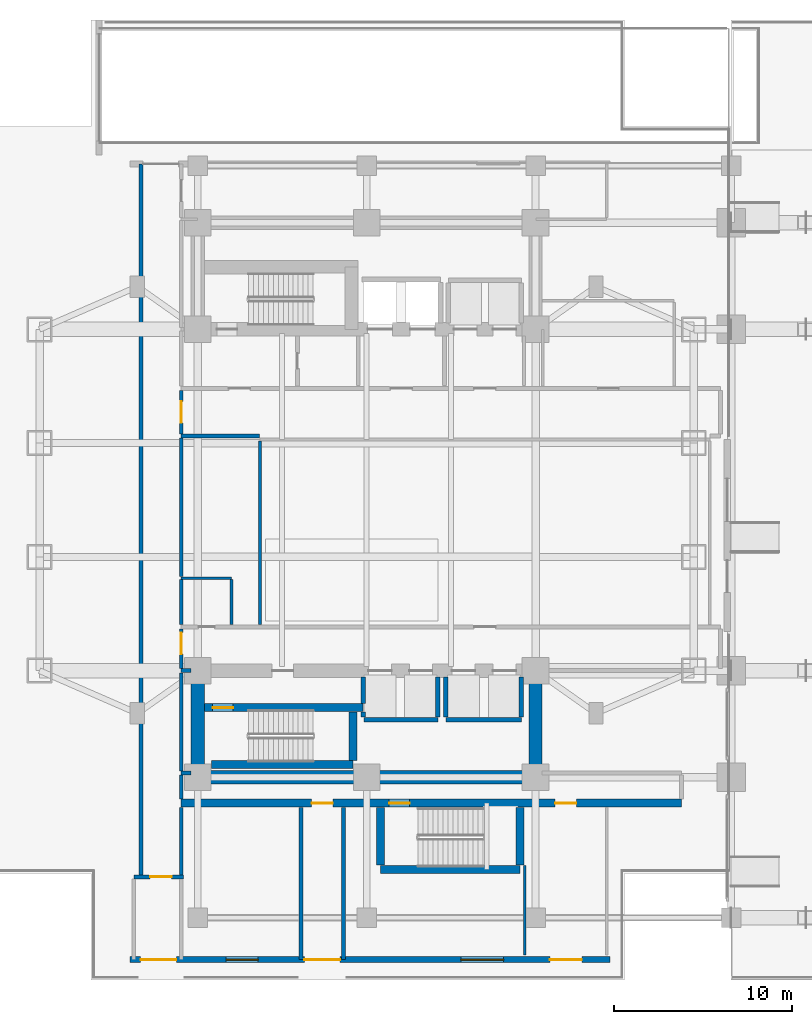
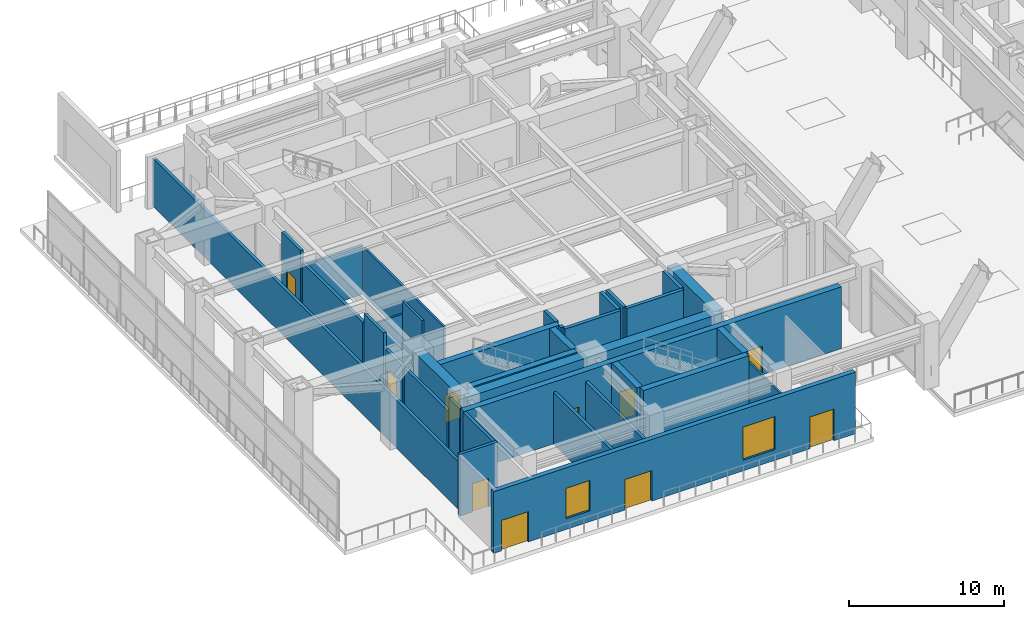
# One storey, part 10 of 27: 36 walls, 10 doors, 2 windows, 12 openings.
"""IFC4 building model written with IfcOpenShell, lengths in metres."""

from ifc_helpers import new_model, si_unit, direction, frame, frame_2d, origin, place, context, subcontext, project, spatial, rectangle, extrude, material, layer, layer_set, type_object, element, fill, save


model = new_model("IFC4")

# Units and contexts
model_context = context("Model", 3, precision=1e-05, world=origin(), true_north=direction((0.0, 1.0)))
body_context = subcontext(model_context, "Body", "Model", "MODEL_VIEW")
ifc_project = project(units=[si_unit("LENGTHUNIT", "METRE"), si_unit("AREAUNIT", "SQUARE_METRE"), si_unit("VOLUMEUNIT", "CUBIC_METRE"), si_unit("PLANEANGLEUNIT", "RADIAN"), si_unit("MASSUNIT", "GRAM", prefix="KILO")], contexts=[model_context])

# Site, building, storey
site_placement = place(None, origin())
site = spatial("IfcSite", under=ifc_project, at=site_placement, CompositionType="ELEMENT")
building_placement = place(site_placement, origin())
building = spatial("IfcBuilding", under=site, at=building_placement, Name="Mirazonda Arch Towers", CompositionType="ELEMENT")
storey_placement = place(building_placement, origin())
storey = spatial("IfcBuildingStorey", under=building, at=storey_placement, Name="L00", CompositionType="ELEMENT", Elevation=0.0)

# Wall
ifc_material_1 = material(Name="Concrete C50/60", Category="concrete")
ifc_layer_1 = layer(ifc_material_1, 0.449951171875, Name="WALL-CORE-450")
ifc_layer_set_1 = layer_set([ifc_layer_1], Name="Concrete C50/60")
wall_type_1 = type_object("IfcWallType", Name="WALL-CORE-450", PredefinedType="SHEAR", material=ifc_layer_set_1)
wall_1_placement = place(storey_placement, frame((21.27001953125, 7.219970703125, 0.0), z_axis=(0.0, 0.0, 1.0), x_axis=(1.0, 0.0, 0.0)))
element("IfcWall", 1, at=wall_1_placement, inside=storey, type_object=wall_type_1, Name="L00 Stair Core Shear Wall 002", PredefinedType="SHEAR", context=body_context, shape_type="SweptSolid", body=[
    extrude(rectangle(XDim=7.85986328125, YDim=0.449951171875, at=frame_2d((3.929931640625, 0.0))), origin(), (0.0, 0.0, 1.0), 4.8798828125),
])

# Wall, openings, doors
wall_2_placement = place(storey_placement, frame((10.050048828125, 10.949951171875, 0.0), z_axis=(0.0, 0.0, 1.0), x_axis=(1.0, 0.0, 0.0)))
wall_2 = element("IfcWall", 2, at=wall_2_placement, inside=storey, type_object=wall_type_1, Name="L00 Stair Core Shear Wall 004", PredefinedType="SHEAR", context=body_context, shape_type="SweptSolid", body=[
    extrude(rectangle(XDim=28.14990234375, YDim=0.449951171875, at=frame_2d((14.074951171875, 0.0))), origin(), (0.0, 0.0, 1.0), 4.8798828125),
])
opening_1_placement = place(wall_2_placement, frame((7.35009765625, 0.0, 0.0)))
opening_1 = element("IfcOpeningElement", 3, at=opening_1_placement, cuts=wall_2, Name="Opening DR-117", PredefinedType="OPENING", context=body_context, shape_type="SweptSolid", body=[
    extrude(rectangle(XDim=1.199951171875, YDim=2.25, at=frame_2d((0.60009765625, 1.125))), frame((0.0, 0.23486328125, 0.0), z_axis=(0.0, -1.0, 0.0), x_axis=(1.0, 0.0, 0.0)), (0.0, 0.0, 1.0), 0.469970703125),
])
opening_2_placement = place(wall_2_placement, frame((11.719970703125, 0.0, 0.0)))
opening_2 = element("IfcOpeningElement", 4, at=opening_2_placement, cuts=wall_2, Name="Opening DR-135", PredefinedType="OPENING", context=body_context, shape_type="SweptSolid", body=[
    extrude(rectangle(XDim=1.14990234375, YDim=2.199951171875, at=frame_2d((0.574951171875, 1.10009765625))), frame((0.0, 0.23486328125, 0.0), z_axis=(0.0, -1.0, 0.0), x_axis=(1.0, 0.0, 0.0)), (0.0, 0.0, 1.0), 0.469970703125),
])
opening_3_placement = place(wall_2_placement, frame((21.050048828125, 0.0, 0.0)))
opening_3 = element("IfcOpeningElement", 5, at=opening_3_placement, cuts=wall_2, Name="Opening DR-117", PredefinedType="OPENING", context=body_context, shape_type="SweptSolid", body=[
    extrude(rectangle(XDim=1.199951171875, YDim=2.25, at=frame_2d((0.60009765625, 1.125))), frame((0.0, 0.23486328125, 0.0), z_axis=(0.0, -1.0, 0.0), x_axis=(1.0, 0.0, 0.0)), (0.0, 0.0, 1.0), 0.469970703125),
])
ifc_material_2 = material(Name="Architectural Brushed Steel S355", Category="steel")
door_type_1 = type_object("IfcDoorType", Name="DOOR-FFL-FD90-1200", OperationType="NOTDEFINED", PredefinedType="DOOR", material=ifc_material_2)
door_1_placement = place(opening_1_placement, origin())
door_1 = element("IfcDoor", 6, at=door_1_placement, inside=storey, type_object=door_type_1, Name="L00 West Podium Protected Exit Discharge Passageway Door", OperationType="SINGLE_SWING_RIGHT", OverallHeight=2.25, OverallWidth=1.199951171875, PredefinedType="DOOR", context=body_context, shape_type="SweptSolid", body=[
    extrude(rectangle(XDim=1.199951171875, YDim=2.25, at=frame_2d((0.60009765625, 1.125))), frame((0.0, 0.02490234375, 0.0), z_axis=(0.0, -1.0, 0.0), x_axis=(1.0, 0.0, 0.0)), (0.0, 0.0, 1.0), 0.050048828125),
])
fill(opening_1, door_1)
door_2_placement = place(opening_3_placement, origin())
door_2 = element("IfcDoor", 7, at=door_2_placement, inside=storey, type_object=door_type_1, Name="L00 Flagship Street Retail Boutique West Door", OperationType="SINGLE_SWING_LEFT", OverallHeight=2.25, OverallWidth=1.199951171875, PredefinedType="DOOR", context=body_context, shape_type="SweptSolid", body=[
    extrude(rectangle(XDim=1.199951171875, YDim=2.25, at=frame_2d((0.60009765625, 1.125))), frame((0.0, 0.02490234375, 0.0), z_axis=(0.0, -1.0, 0.0), x_axis=(1.0, 0.0, 0.0)), (0.0, 0.0, 1.0), 0.050048828125),
])
fill(opening_3, door_2)
door_type_2 = type_object("IfcDoorType", Name="DOOR-STAIR-FD90-1150", OperationType="NOTDEFINED", PredefinedType="DOOR", material=ifc_material_2)
door_3_placement = place(opening_2_placement, origin())
door_3 = element("IfcDoor", 8, at=door_3_placement, inside=storey, type_object=door_type_2, Name="L00 Protected Podium Stair West Door", OperationType="SINGLE_SWING_RIGHT", OverallHeight=2.199951171875, OverallWidth=1.14990234375, PredefinedType="DOOR", context=body_context, shape_type="SweptSolid", body=[
    extrude(rectangle(XDim=1.14990234375, YDim=2.199951171875, at=frame_2d((0.574951171875, 1.10009765625))), frame((0.0, 0.02490234375, 0.0), z_axis=(0.0, -1.0, 0.0), x_axis=(1.0, 0.0, 0.0)), (0.0, 0.0, 1.0), 0.050048828125),
])
fill(opening_2, door_3)

# Wall
wall_3_placement = place(storey_placement, frame((11.764892578125, 13.1201171875, 0.0), z_axis=(0.0, 0.0, 1.0), x_axis=(1.0, 0.0, 0.0)))
element("IfcWall", 9, at=wall_3_placement, inside=storey, type_object=wall_type_1, Name="L00 Stair Core Shear Wall 010", PredefinedType="SHEAR", context=body_context, shape_type="SweptSolid", body=[
    extrude(rectangle(XDim=7.965087890625, YDim=0.449951171875, at=frame_2d((3.982421875, 0.0))), origin(), (0.0, 0.0, 1.0), 4.8798828125),
])

# Wall, opening, door
wall_4_placement = place(storey_placement, frame((11.3701171875, 16.320068359375, 0.0), z_axis=(0.0, 0.0, 1.0), x_axis=(1.0, 0.0, 0.0)))
wall_4 = element("IfcWall", 10, at=wall_4_placement, inside=storey, type_object=wall_type_1, Name="L00 Stair Core Shear Wall 014", PredefinedType="SHEAR", context=body_context, shape_type="SweptSolid", body=[
    extrude(rectangle(XDim=8.909912109375, YDim=0.449951171875, at=frame_2d((4.455078125, 0.0))), origin(), (0.0, 0.0, 1.0), 4.8798828125),
])
opening_4_placement = place(wall_4_placement, frame((0.469970703125, 0.0, 0.0)))
opening_4 = element("IfcOpeningElement", 11, at=opening_4_placement, cuts=wall_4, Name="Opening DR-135", PredefinedType="OPENING", context=body_context, shape_type="SweptSolid", body=[
    extrude(rectangle(XDim=1.14990234375, YDim=2.199951171875, at=frame_2d((0.574951171875, 1.10009765625))), frame((0.0, 0.23486328125, 0.0), z_axis=(0.0, -1.0, 0.0), x_axis=(1.0, 0.0, 0.0)), (0.0, 0.0, 1.0), 0.469970703125),
])
door_4_placement = place(opening_4_placement, origin())
door_4 = element("IfcDoor", 12, at=door_4_placement, inside=storey, type_object=door_type_2, Name="L00 Protected Exit Stair South Door", OperationType="SINGLE_SWING_RIGHT", OverallHeight=2.199951171875, OverallWidth=1.14990234375, PredefinedType="DOOR", context=body_context, shape_type="SweptSolid", body=[
    extrude(rectangle(XDim=1.14990234375, YDim=2.199951171875, at=frame_2d((0.574951171875, 1.10009765625))), frame((0.0, 0.02490234375, 0.0), z_axis=(0.0, -1.0, 0.0), x_axis=(1.0, 0.0, 0.0)), (0.0, 0.0, 1.0), 0.050048828125),
])
fill(opening_4, door_4)

# Walls
wall_5_placement = place(storey_placement, frame((19.72998046875, 13.35498046875, 0.0), z_axis=(0.0, 0.0, 1.0), x_axis=(0.0, 1.0, 0.0)))
element("IfcWall", 13, at=wall_5_placement, inside=storey, type_object=wall_type_1, Name="L00 Stair Core Shear Wall 065", PredefinedType="SHEAR", context=body_context, shape_type="SweptSolid", body=[
    extrude(rectangle(XDim=2.72998046875, YDim=0.449951171875, at=frame_2d((1.364990234375, 0.0))), origin(), (0.0, 0.0, 1.0), 4.8798828125),
])
for number, where, z_axis, x_axis, name in (
    (14, (21.27001953125, 7.455078125, 0.0), (0.0, 0.0, 1.0), (0.0, 1.0, 0.0), "L00 Stair Core Shear Wall 069"),
    (15, (29.1298828125, 7.455078125, 0.0), (0.0, 0.0, 1.0), (0.0, 1.0, 0.0), "L00 Stair Core Shear Wall 075"),
):
    element("IfcWall", number, at=place(storey_placement, frame(where, z_axis=z_axis, x_axis=x_axis)), inside=storey, type_object=wall_type_1, Name=name, PredefinedType="SHEAR", context=body_context, shape_type="SweptSolid", body=[
        extrude(rectangle(XDim=3.260009765625, YDim=0.449951171875, at=frame_2d((1.6298828125, 0.0))), origin(), (0.0, 0.0, 1.0), 4.8798828125),
    ])
ifc_material_3 = material(Name="Concrete C60/75", Category="concrete")
ifc_layer_2 = layer(ifc_material_3, 0.75, Name="WALL-CORE-750")
ifc_layer_set_2 = layer_set([ifc_layer_2], Name="Concrete C60/75")
wall_type_2 = type_object("IfcWallType", Name="WALL-CORE-750", PredefinedType="SHEAR", material=ifc_layer_set_2)
wall_6_placement = place(storey_placement, frame((11.0, 12.39990234375, 0.0), z_axis=(0.0, 0.0, 1.0), x_axis=(1.0, 0.0, 0.0)))
element("IfcWall", 16, at=wall_6_placement, inside=storey, type_object=wall_type_2, Name="L00 T1S-S Core Shear Wall", PredefinedType="SHEAR", context=body_context, shape_type="SweptSolid", body=[
    extrude(rectangle(XDim=19.0, YDim=0.75, at=frame_2d((9.5, 0.0))), origin(), (0.0, 0.0, 1.0), 4.8798828125),
])
for number, where, z_axis, x_axis, name in (
    (17, (11.0, 12.39990234375, 0.0), (0.0, 0.0, 1.0), (0.0, 1.0, 0.0), "L00 T1S-W Core Shear Wall"),
    (18, (30.0, 12.39990234375, 0.0), (0.0, 0.0, 1.0), (0.0, 1.0, 0.0), "L00 T1S-E Core Shear Wall"),
):
    element("IfcWall", number, at=place(storey_placement, frame(where, z_axis=z_axis, x_axis=x_axis)), inside=storey, type_object=wall_type_2, Name=name, PredefinedType="SHEAR", context=body_context, shape_type="SweptSolid", body=[
        extrude(rectangle(XDim=6.0, YDim=0.75, at=frame_2d((3.0, 0.0))), origin(), (0.0, 0.0, 1.0), 4.8798828125),
    ])

# Wall, openings, doors, windows
ifc_material_4 = material(Name="Precast Concrete C40/50", Category="concrete")
ifc_layer_3 = layer(ifc_material_4, 0.35009765625, Name="WALL-EXT-WALL-350")
ifc_layer_set_3 = layer_set([ifc_layer_3], Name="Precast Concrete C40/50")
wall_type_3 = type_object("IfcWallType", Name="WALL-EXT-WALL-350", PredefinedType="SOLIDWALL", material=ifc_layer_set_3)
wall_7_placement = place(storey_placement, frame((34.199951171875, 2.14990234375, 0.0), z_axis=(0.0, 0.0, 1.0), x_axis=(-1.0, 0.0, 0.0)))
wall_7 = element("IfcWall", 19, at=wall_7_placement, inside=storey, type_object=wall_type_3, Name="L00 South West Podium Street Wall WL-L00-S-W", PredefinedType="SOLIDWALL", context=body_context, shape_type="SweptSolid", body=[
    extrude(rectangle(XDim=27.0, YDim=0.35009765625, at=frame_2d((13.5, 0.0))), origin(), (0.0, 0.0, 1.0), 4.860107421875),
])
opening_5_placement = place(wall_7_placement, frame((6.0, 0.0, 0.85009765625)))
opening_5 = element("IfcOpeningElement", 20, at=opening_5_placement, cuts=wall_7, Name="Opening WN-111", PredefinedType="OPENING", context=body_context, shape_type="SweptSolid", body=[
    extrude(rectangle(XDim=2.39990234375, YDim=2.60009765625, at=frame_2d((1.199951171875, 1.300048828125))), frame((0.0, 0.18505859375, 0.0), z_axis=(0.0, -1.0, 0.0), x_axis=(1.0, 0.0, 0.0)), (0.0, 0.0, 1.0), 0.3701171875),
])
opening_6_placement = place(wall_7_placement, frame((19.800048828125, 0.0, 0.85009765625)))
opening_6 = element("IfcOpeningElement", 21, at=opening_6_placement, cuts=wall_7, Name="Opening WN-128", PredefinedType="OPENING", context=body_context, shape_type="SweptSolid", body=[
    extrude(rectangle(XDim=1.800048828125, YDim=2.39990234375, at=frame_2d((0.89990234375, 1.199951171875))), frame((0.0, 0.18505859375, 0.0), z_axis=(0.0, -1.0, 0.0), x_axis=(1.0, 0.0, 0.0)), (0.0, 0.0, 1.0), 0.3701171875),
])
opening_7_placement = place(wall_7_placement, frame((1.60009765625, 0.0, 0.0)))
opening_7 = element("IfcOpeningElement", 22, at=opening_7_placement, cuts=wall_7, Name="Opening DR-118", PredefinedType="OPENING", context=body_context, shape_type="SweptSolid", body=[
    extrude(rectangle(XDim=1.800048828125, YDim=2.5, at=frame_2d((0.89990234375, 1.25))), frame((0.0, 0.18505859375, 0.0), z_axis=(0.0, -1.0, 0.0), x_axis=(1.0, 0.0, 0.0)), (0.0, 0.0, 1.0), 0.3701171875),
])
opening_8_placement = place(wall_7_placement, frame((15.199951171875, 0.0, 0.0)))
opening_8 = element("IfcOpeningElement", 23, at=opening_8_placement, cuts=wall_7, Name="Opening DR-101", PredefinedType="OPENING", context=body_context, shape_type="SweptSolid", body=[
    extrude(rectangle(XDim=2.0, YDim=2.39990234375, at=frame_2d((1.0, 1.199951171875))), frame((0.0, 0.18505859375, 0.0), z_axis=(0.0, -1.0, 0.0), x_axis=(1.0, 0.0, 0.0)), (0.0, 0.0, 1.0), 0.3701171875),
])
opening_9_placement = place(wall_7_placement, frame((24.409912109375, 0.0, 0.0)))
opening_9 = element("IfcOpeningElement", 24, at=opening_9_placement, cuts=wall_7, Name="Opening DR-101", PredefinedType="OPENING", context=body_context, shape_type="SweptSolid", body=[
    extrude(rectangle(XDim=2.0, YDim=2.39990234375, at=frame_2d((1.0, 1.199951171875))), frame((0.0, 0.18505859375, 0.0), z_axis=(0.0, -1.0, 0.0), x_axis=(1.0, 0.0, 0.0)), (0.0, 0.0, 1.0), 0.3701171875),
])
door_type_3 = type_object("IfcDoorType", Name="DOOR-EXIT-EXT-2000", OperationType="NOTDEFINED", PredefinedType="DOOR", material=ifc_material_2)
door_5_placement = place(opening_8_placement, origin())
door_5 = element("IfcDoor", 25, at=door_5_placement, inside=storey, type_object=door_type_3, Name="L00 Exterior Door DR-EXIT-S1", OperationType="SINGLE_SWING_LEFT", OverallHeight=2.39990234375, OverallWidth=2.0, PredefinedType="DOOR", context=body_context, shape_type="SweptSolid", body=[
    extrude(rectangle(XDim=2.0, YDim=2.39990234375, at=frame_2d((1.0, 1.199951171875))), frame((0.0, 0.02490234375, 0.0), z_axis=(0.0, -1.0, 0.0), x_axis=(1.0, 0.0, 0.0)), (0.0, 0.0, 1.0), 0.050048828125),
])
fill(opening_8, door_5)
door_6_placement = place(opening_9_placement, origin())
door_6 = element("IfcDoor", 26, at=door_6_placement, inside=storey, type_object=door_type_3, Name="L00 Exterior Door DR-EXIT-S2", OperationType="SINGLE_SWING_RIGHT", OverallHeight=2.39990234375, OverallWidth=2.0, PredefinedType="DOOR", context=body_context, shape_type="SweptSolid", body=[
    extrude(rectangle(XDim=2.0, YDim=2.39990234375, at=frame_2d((1.0, 1.199951171875))), frame((0.0, 0.02490234375, 0.0), z_axis=(0.0, -1.0, 0.0), x_axis=(1.0, 0.0, 0.0)), (0.0, 0.0, 1.0), 0.050048828125),
])
fill(opening_9, door_6)
ifc_material_5 = material(Name="Architectural Hardwood Timber", Category="wood")
door_type_4 = type_object("IfcDoorType", Name="DOOR-SHOP-EXT-1800", OperationType="NOTDEFINED", PredefinedType="DOOR", material=ifc_material_5)
door_7_placement = place(opening_7_placement, origin())
door_7 = element("IfcDoor", 27, at=door_7_placement, inside=storey, type_object=door_type_4, Name="L00 Exterior Door DR-SHOP-SW", OperationType="SINGLE_SWING_RIGHT", OverallHeight=2.5, OverallWidth=1.800048828125, PredefinedType="DOOR", context=body_context, shape_type="SweptSolid", body=[
    extrude(rectangle(XDim=1.800048828125, YDim=2.5, at=frame_2d((0.89990234375, 1.25))), frame((0.0, 0.02490234375, 0.0), z_axis=(0.0, -1.0, 0.0), x_axis=(1.0, 0.0, 0.0)), (0.0, 0.0, 1.0), 0.050048828125),
])
fill(opening_7, door_7)
ifc_material_6 = material(Name="Insulated Low-E Solar Glass", Category="glass")
window_type_1 = type_object("IfcWindowType", Name="WIN-POD-1800x2400", PartitioningType="SINGLE_PANEL", PredefinedType="WINDOW", material=ifc_material_6)
window_1_placement = place(opening_6_placement, origin())
window_1 = element("IfcWindow", 28, at=window_1_placement, inside=storey, type_object=window_type_1, Name="L00 Punched Facade Window WN-L00-SW2", OverallHeight=2.39990234375, OverallWidth=1.800048828125, PartitioningType="SINGLE_PANEL", PredefinedType="WINDOW", context=body_context, shape_type="SweptSolid", body=[
    extrude(rectangle(XDim=1.800048828125, YDim=2.39990234375, at=frame_2d((0.89990234375, 1.199951171875))), frame((0.0, 0.030029296875, 0.0), z_axis=(0.0, -1.0, 0.0), x_axis=(1.0, 0.0, 0.0)), (0.0, 0.0, 1.0), 0.06005859375),
])
fill(opening_6, window_1)
window_type_2 = type_object("IfcWindowType", Name="WIN-POD-2400x2600", PartitioningType="SINGLE_PANEL", PredefinedType="WINDOW", material=ifc_material_6)
window_2_placement = place(opening_5_placement, origin())
window_2 = element("IfcWindow", 29, at=window_2_placement, inside=storey, type_object=window_type_2, Name="L00 Punched Facade Window WN-L00-SW1", OverallHeight=2.60009765625, OverallWidth=2.39990234375, PartitioningType="SINGLE_PANEL", PredefinedType="WINDOW", context=body_context, shape_type="SweptSolid", body=[
    extrude(rectangle(XDim=2.39990234375, YDim=2.60009765625, at=frame_2d((1.199951171875, 1.300048828125))), frame((0.0, 0.030029296875, 0.0), z_axis=(0.0, -1.0, 0.0), x_axis=(1.0, 0.0, 0.0)), (0.0, 0.0, 1.0), 0.06005859375),
])
fill(opening_5, window_2)

# Wall, opening, door
ifc_material_7 = material(Name="Concrete C40/50", Category="concrete")
ifc_layer_4 = layer(ifc_material_7, 0.219970703125, Name="WALL-FFL-220")
ifc_layer_set_4 = layer_set([ifc_layer_4], Name="Concrete C40/50")
wall_type_4 = type_object("IfcWallType", Name="WALL-FFL-220", PredefinedType="SOLIDWALL", material=ifc_layer_set_4)
wall_8_placement = place(storey_placement, frame((7.39990234375, 6.800048828125, 0.0), z_axis=(0.0, 0.0, 1.0), x_axis=(1.0, 0.0, 0.0)))
wall_8 = element("IfcWall", 30, at=wall_8_placement, inside=storey, type_object=wall_type_4, Name="L00 Interior Partition 001", PredefinedType="SOLIDWALL", context=body_context, shape_type="SweptSolid", body=[
    extrude(rectangle(XDim=2.800048828125, YDim=0.219970703125, at=frame_2d((1.39990234375, 0.0))), origin(), (0.0, 0.0, 1.0), 4.8798828125),
])
opening_10_placement = place(wall_8_placement, frame((0.925048828125, 0.0, 0.0)))
opening_10 = element("IfcOpeningElement", 31, at=opening_10_placement, cuts=wall_8, Name="Opening DR-117", PredefinedType="OPENING", context=body_context, shape_type="SweptSolid", body=[
    extrude(rectangle(XDim=1.199951171875, YDim=2.25, at=frame_2d((0.60009765625, 1.125))), frame((0.0, 0.119873046875, 0.0), z_axis=(0.0, -1.0, 0.0), x_axis=(1.0, 0.0, 0.0)), (0.0, 0.0, 1.0), 0.239990234375),
])
door_8_placement = place(opening_10_placement, origin())
door_8 = element("IfcDoor", 32, at=door_8_placement, inside=storey, type_object=door_type_1, Name="L00 West South Protected Exit Vestibule Door", OperationType="SINGLE_SWING_RIGHT", OverallHeight=2.25, OverallWidth=1.199951171875, PredefinedType="DOOR", context=body_context, shape_type="SweptSolid", body=[
    extrude(rectangle(XDim=1.199951171875, YDim=2.25, at=frame_2d((0.60009765625, 1.125))), frame((0.0, 0.02490234375, 0.0), z_axis=(0.0, -1.0, 0.0), x_axis=(1.0, 0.0, 0.0)), (0.0, 0.0, 1.0), 0.050048828125),
])
fill(opening_10, door_8)

# Walls
wall_9_placement = place(storey_placement, frame((10.050048828125, 12.64990234375, 0.0), z_axis=(0.0, 0.0, 1.0), x_axis=(1.0, 0.0, 0.0)))
element("IfcWall", 33, at=wall_9_placement, inside=storey, type_object=wall_type_4, Name="L00 Interior Partition 007", PredefinedType="SOLIDWALL", context=body_context, shape_type="SweptSolid", body=[
    extrude(rectangle(XDim=0.579833984375, YDim=0.219970703125, at=frame_2d((0.2900390625, 0.0))), origin(), (0.0, 0.0, 1.0), 4.8798828125),
])
wall_10_placement = place(storey_placement, frame((10.050048828125, 18.39990234375, 0.0), z_axis=(0.0, 0.0, 1.0), x_axis=(1.0, 0.0, 0.0)))
element("IfcWall", 34, at=wall_10_placement, inside=storey, type_object=wall_type_4, Name="L00 Interior Partition 016", PredefinedType="SOLIDWALL", context=body_context, shape_type="SweptSolid", body=[
    extrude(rectangle(XDim=0.579833984375, YDim=0.219970703125, at=frame_2d((0.2900390625, 0.0))), origin(), (0.0, 0.0, 1.0), 3.77197265625),
])
wall_11_placement = place(storey_placement, frame((10.050048828125, 31.60009765625, 0.0), z_axis=(0.0, 0.0, 1.0), x_axis=(1.0, 0.0, 0.0)))
element("IfcWall", 35, at=wall_11_placement, inside=storey, type_object=wall_type_4, Name="L00 Interior Partition 031", PredefinedType="SOLIDWALL", context=body_context, shape_type="SweptSolid", body=[
    extrude(rectangle(XDim=4.429931640625, YDim=0.219970703125, at=frame_2d((2.21484375, 0.0))), origin(), (0.0, 0.0, 1.0), 3.83203125),
])
wall_12_placement = place(storey_placement, frame((7.800048828125, 6.919921875, 0.0), z_axis=(0.0, 0.0, 1.0), x_axis=(0.0, 1.0, 0.0)))
element("IfcWall", 36, at=wall_12_placement, inside=storey, type_object=wall_type_4, Name="L00 Interior Partition 048", PredefinedType="SOLIDWALL", context=body_context, shape_type="SweptSolid", body=[
    extrude(rectangle(XDim=39.97998046875, YDim=0.219970703125, at=frame_2d((19.989990234375, 0.0))), origin(), (0.0, 0.0, 1.0), 3.77197265625),
])
wall_13_placement = place(storey_placement, frame((10.068603515625, 6.919921875, 0.0), z_axis=(0.0, 0.0, 1.0), x_axis=(0.0, 1.0, 0.0)))
element("IfcWall", 37, at=wall_13_placement, inside=storey, type_object=wall_type_4, Name="L00 Interior Partition 050", PredefinedType="SOLIDWALL", context=body_context, shape_type="SweptSolid", body=[
    extrude(rectangle(XDim=3.795166015625, YDim=0.219970703125, at=frame_2d((1.8974609375, 0.0))), origin(), (0.0, 0.0, 1.0), 4.8798828125),
])
wall_14_placement = place(storey_placement, frame((10.068603515625, 11.18505859375, 0.0), z_axis=(0.0, 0.0, 1.0), x_axis=(0.0, 1.0, 0.0)))
element("IfcWall", 38, at=wall_14_placement, inside=storey, type_object=wall_type_4, Name="L00 Interior Partition 051", PredefinedType="SOLIDWALL", context=body_context, shape_type="SweptSolid", body=[
    extrude(rectangle(XDim=1.344970703125, YDim=0.219970703125, at=frame_2d((0.67236328125, 0.0))), origin(), (0.0, 0.0, 1.0), 4.8798828125),
])
wall_15_placement = place(storey_placement, frame((10.068603515625, 12.77001953125, 0.0), z_axis=(0.0, 0.0, 1.0), x_axis=(0.0, 1.0, 0.0)))
element("IfcWall", 39, at=wall_15_placement, inside=storey, type_object=wall_type_4, Name="L00 Interior Partition 052", PredefinedType="SOLIDWALL", context=body_context, shape_type="SweptSolid", body=[
    extrude(rectangle(XDim=5.510009765625, YDim=0.219970703125, at=frame_2d((2.7548828125, 0.0))), origin(), (0.0, 0.0, 1.0), 3.77197265625),
])

# Wall, opening, door
wall_16_placement = place(storey_placement, frame((10.068603515625, 18.52001953125, 0.0), z_axis=(0.0, 0.0, 1.0), x_axis=(0.0, 1.0, 0.0)))
wall_16 = element("IfcWall", 40, at=wall_16_placement, inside=storey, type_object=wall_type_4, Name="L00 Interior Partition 053", PredefinedType="SOLIDWALL", context=body_context, shape_type="SweptSolid", body=[
    extrude(rectangle(XDim=2.2265625, YDim=0.219970703125, at=frame_2d((1.11328125, 0.0))), origin(), (0.0, 0.0, 1.0), 3.77197265625),
])
opening_11_placement = place(wall_16_placement, frame((0.8134765625, 0.0, 0.0)))
opening_11 = element("IfcOpeningElement", 41, at=opening_11_placement, cuts=wall_16, Name="Opening DR-117", PredefinedType="OPENING", context=body_context, shape_type="SweptSolid", body=[
    extrude(rectangle(XDim=1.199951171875, YDim=2.25, at=frame_2d((0.60009765625, 1.125))), frame((0.0, 0.119873046875, 0.0), z_axis=(0.0, -1.0, 0.0), x_axis=(1.0, 0.0, 0.0)), (0.0, 0.0, 1.0), 0.239990234375),
])
door_9_placement = place(opening_11_placement, origin())
door_9 = element("IfcDoor", 42, at=door_9_placement, inside=storey, type_object=door_type_1, Name="L00 West Podium South Protected Exit & Gallery Corridor Door", OperationType="SINGLE_SWING_RIGHT", OverallHeight=2.25, OverallWidth=1.199951171875, PredefinedType="DOOR", context=body_context, shape_type="SweptSolid", body=[
    extrude(rectangle(XDim=1.199951171875, YDim=2.25, at=frame_2d((0.60009765625, 1.125))), frame((0.0, 0.02490234375, 0.0), z_axis=(0.0, -1.0, 0.0), x_axis=(1.0, 0.0, 0.0)), (0.0, 0.0, 1.0), 0.050048828125),
])
fill(opening_11, door_9)

# Walls
wall_17_placement = place(storey_placement, frame((10.068603515625, 20.98681640625, 0.0), z_axis=(0.0, 0.0, 1.0), x_axis=(0.0, 1.0, 0.0)))
element("IfcWall", 43, at=wall_17_placement, inside=storey, type_object=wall_type_4, Name="L00 Interior Partition 054", PredefinedType="SOLIDWALL", context=body_context, shape_type="SweptSolid", body=[
    extrude(rectangle(XDim=2.528076171875, YDim=0.219970703125, at=frame_2d((1.26416015625, 0.0))), origin(), (0.0, 0.0, 1.0), 4.8798828125),
])
wall_18_placement = place(storey_placement, frame((10.068603515625, 23.68505859375, 0.0), z_axis=(0.0, 0.0, 1.0), x_axis=(0.0, 1.0, 0.0)))
element("IfcWall", 44, at=wall_18_placement, inside=storey, type_object=wall_type_4, Name="L00 Interior Partition 055", PredefinedType="SOLIDWALL", context=body_context, shape_type="SweptSolid", body=[
    extrude(rectangle(XDim=7.794921875, YDim=0.219970703125, at=frame_2d((3.8974609375, 0.0))), origin(), (0.0, 0.0, 1.0), 4.09912109375),
])

# Wall, opening, door
wall_19_placement = place(storey_placement, frame((10.068603515625, 31.719970703125, 0.0), z_axis=(0.0, 0.0, 1.0), x_axis=(0.0, 1.0, 0.0)))
wall_19 = element("IfcWall", 45, at=wall_19_placement, inside=storey, type_object=wall_type_4, Name="L00 Interior Partition 056", PredefinedType="SOLIDWALL", context=body_context, shape_type="SweptSolid", body=[
    extrude(rectangle(XDim=2.443359375, YDim=0.219970703125, at=frame_2d((1.2216796875, 0.0))), origin(), (0.0, 0.0, 1.0), 4.8798828125),
])
opening_12_placement = place(wall_19_placement, frame((0.62158203125, 0.0, 0.0)))
opening_12 = element("IfcOpeningElement", 46, at=opening_12_placement, cuts=wall_19, Name="Opening DR-117", PredefinedType="OPENING", context=body_context, shape_type="SweptSolid", body=[
    extrude(rectangle(XDim=1.199951171875, YDim=2.25, at=frame_2d((0.60009765625, 1.125))), frame((0.0, 0.119873046875, 0.0), z_axis=(0.0, -1.0, 0.0), x_axis=(1.0, 0.0, 0.0)), (0.0, 0.0, 1.0), 0.239990234375),
])
door_10_placement = place(opening_12_placement, origin())
door_10 = element("IfcDoor", 47, at=door_10_placement, inside=storey, type_object=door_type_1, Name="L00 West Podium Protected Exit Passageway & Cross-Corridor Door", OperationType="SINGLE_SWING_LEFT", OverallHeight=2.25, OverallWidth=1.199951171875, PredefinedType="DOOR", context=body_context, shape_type="SweptSolid", body=[
    extrude(rectangle(XDim=1.199951171875, YDim=2.25, at=frame_2d((0.60009765625, 1.125))), frame((0.0, 0.02490234375, 0.0), z_axis=(0.0, -1.0, 0.0), x_axis=(1.0, 0.0, 0.0)), (0.0, 0.0, 1.0), 0.050048828125),
])
fill(opening_12, door_10)

# Walls
for number, where, z_axis, x_axis, name in (
    (48, (16.800048828125, 2.14990234375, 0.0), (0.0, 0.0, 1.0), (0.0, 1.0, 0.0), "L00 Interior Partition 063"),
    (49, (19.199951171875, 2.14990234375, 0.0), (0.0, 0.0, 1.0), (0.0, 1.0, 0.0), "L00 Interior Partition 064"),
):
    element("IfcWall", number, at=place(storey_placement, frame(where, z_axis=z_axis, x_axis=x_axis)), inside=storey, type_object=wall_type_4, Name=name, PredefinedType="SOLIDWALL", context=body_context, shape_type="SweptSolid", body=[
        extrude(rectangle(XDim=8.565185546875, YDim=0.219970703125, at=frame_2d((4.28271484375, 0.0))), origin(), (0.0, 0.0, 1.0), 4.09912109375),
    ])
ifc_material_8 = material(Name="Fire-Rated Gypsum Stud Partition")
ifc_layer_5 = layer(ifc_material_8, 0.14990234375, Name="WALL-PART-CORR-150")
ifc_layer_set_5 = layer_set([ifc_layer_5], Name="Fire-Rated Gypsum Stud Partition")
wall_type_5 = type_object("IfcWallType", Name="WALL-PART-CORR-150", PredefinedType="PARTITIONING", material=ifc_layer_set_5)
wall_20_placement = place(storey_placement, frame((10.050048828125, 23.60009765625, 0.0), z_axis=(0.0, 0.0, 1.0), x_axis=(1.0, 0.0, 0.0)))
element("IfcWall", 50, at=wall_20_placement, inside=storey, type_object=wall_type_5, Name="L00 Interior Partition 024", PredefinedType="PARTITIONING", context=body_context, shape_type="SweptSolid", body=[
    extrude(rectangle(XDim=2.849853515625, YDim=0.14990234375, at=frame_2d((1.4248046875, 0.0))), origin(), (0.0, 0.0, 1.0), 3.83203125),
])
wall_21_placement = place(storey_placement, frame((12.89990234375, 20.98681640625, 0.0), z_axis=(0.0, 0.0, 1.0), x_axis=(0.0, 1.0, 0.0)))
element("IfcWall", 51, at=wall_21_placement, inside=storey, type_object=wall_type_5, Name="L00 Interior Partition 060", PredefinedType="PARTITIONING", context=body_context, shape_type="SweptSolid", body=[
    extrude(rectangle(XDim=2.528076171875, YDim=0.14990234375, at=frame_2d((1.26416015625, 0.0))), origin(), (0.0, 0.0, 1.0), 4.8798828125),
])
wall_22_placement = place(storey_placement, frame((14.5, 21.0, 0.0), z_axis=(0.0, 0.0, 1.0), x_axis=(0.0, 1.0, 0.0)))
element("IfcWall", 52, at=wall_22_placement, inside=storey, type_object=wall_type_5, Name="L00 Interior Partition 061", PredefinedType="PARTITIONING", context=body_context, shape_type="SweptSolid", body=[
    extrude(rectangle(XDim=10.31494140625, YDim=0.14990234375, at=frame_2d((5.157470703125, 0.0))), origin(), (0.0, 0.0, 1.0), 3.83203125),
])
wall_23_placement = place(storey_placement, frame((29.39990234375, 2.39990234375, 0.0), z_axis=(0.0, 0.0, 1.0), x_axis=(0.0, 1.0, 0.0)))
element("IfcWall", 53, at=wall_23_placement, inside=storey, type_object=wall_type_5, Name="L00 Interior Partition 079", PredefinedType="PARTITIONING", context=body_context, shape_type="SweptSolid", body=[
    extrude(rectangle(XDim=5.03515625, YDim=0.14990234375, at=frame_2d((2.517578125, 0.0))), origin(), (0.0, 0.0, 1.0), 4.09912109375),
])
ifc_layer_6 = layer(ifc_material_7, 0.25, Name="WALL-SHAFT-250")
ifc_layer_set_6 = layer_set([ifc_layer_6], Name="Concrete C40/50")
wall_type_6 = type_object("IfcWallType", Name="WALL-SHAFT-250", PredefinedType="SOLIDWALL", material=ifc_layer_set_6)
wall_24_placement = place(storey_placement, frame((20.35009765625, 15.64990234375, 0.0), z_axis=(0.0, 0.0, 1.0), x_axis=(1.0, 0.0, 0.0)))
element("IfcWall", 54, at=wall_24_placement, inside=storey, type_object=wall_type_6, Name="L00 Interior Partition 012", PredefinedType="SOLIDWALL", context=body_context, shape_type="SweptSolid", body=[
    extrude(rectangle(XDim=4.14990234375, YDim=0.25, at=frame_2d((2.074951171875, 0.0))), origin(), (0.0, 0.0, 1.0), 4.8798828125),
])
wall_25_placement = place(storey_placement, frame((24.949951171875, 15.64990234375, 0.0), z_axis=(0.0, 0.0, 1.0), x_axis=(1.0, 0.0, 0.0)))
element("IfcWall", 55, at=wall_25_placement, inside=storey, type_object=wall_type_6, Name="L00 Interior Partition 013", PredefinedType="SOLIDWALL", context=body_context, shape_type="SweptSolid", body=[
    extrude(rectangle(XDim=4.25, YDim=0.25, at=frame_2d((2.125, 0.0))), origin(), (0.0, 0.0, 1.0), 4.8798828125),
])
wall_26_placement = place(storey_placement, frame((20.31494140625, 15.784912109375, 0.0), z_axis=(0.0, 0.0, 1.0), x_axis=(0.0, 1.0, 0.0)))
element("IfcWall", 56, at=wall_26_placement, inside=storey, type_object=wall_type_6, Name="L00 Interior Partition 067", PredefinedType="SOLIDWALL", context=body_context, shape_type="SweptSolid", body=[
    extrude(rectangle(XDim=0.300048828125, YDim=0.25, at=frame_2d((0.14990234375, 0.0))), origin(), (0.0, 0.0, 1.0), 4.8798828125),
])
wall_27_placement = place(storey_placement, frame((20.31494140625, 16.554931640625, 0.0), z_axis=(0.0, 0.0, 1.0), x_axis=(0.0, 1.0, 0.0)))
element("IfcWall", 57, at=wall_27_placement, inside=storey, type_object=wall_type_6, Name="L00 Interior Partition 068", PredefinedType="SOLIDWALL", context=body_context, shape_type="SweptSolid", body=[
    extrude(rectangle(XDim=1.47509765625, YDim=0.25, at=frame_2d((0.737548828125, 0.0))), origin(), (0.0, 0.0, 1.0), 4.8798828125),
])
for number, where, z_axis, x_axis, name in (
    (58, (24.5, 15.784912109375, 0.0), (0.0, 0.0, 1.0), (0.0, 1.0, 0.0), "L00 Interior Partition 070"),
    (59, (24.949951171875, 15.784912109375, 0.0), (0.0, 0.0, 1.0), (0.0, 1.0, 0.0), "L00 Interior Partition 072"),
    (60, (29.199951171875, 15.784912109375, 0.0), (0.0, 0.0, 1.0), (0.0, 1.0, 0.0), "L00 Interior Partition 076"),
):
    element("IfcWall", number, at=place(storey_placement, frame(where, z_axis=z_axis, x_axis=x_axis)), inside=storey, type_object=wall_type_6, Name=name, PredefinedType="SOLIDWALL", context=body_context, shape_type="SweptSolid", body=[
        extrude(rectangle(XDim=2.2451171875, YDim=0.25, at=frame_2d((1.12255859375, 0.0))), origin(), (0.0, 0.0, 1.0), 4.8798828125),
    ])

save(model, "model.ifc")
